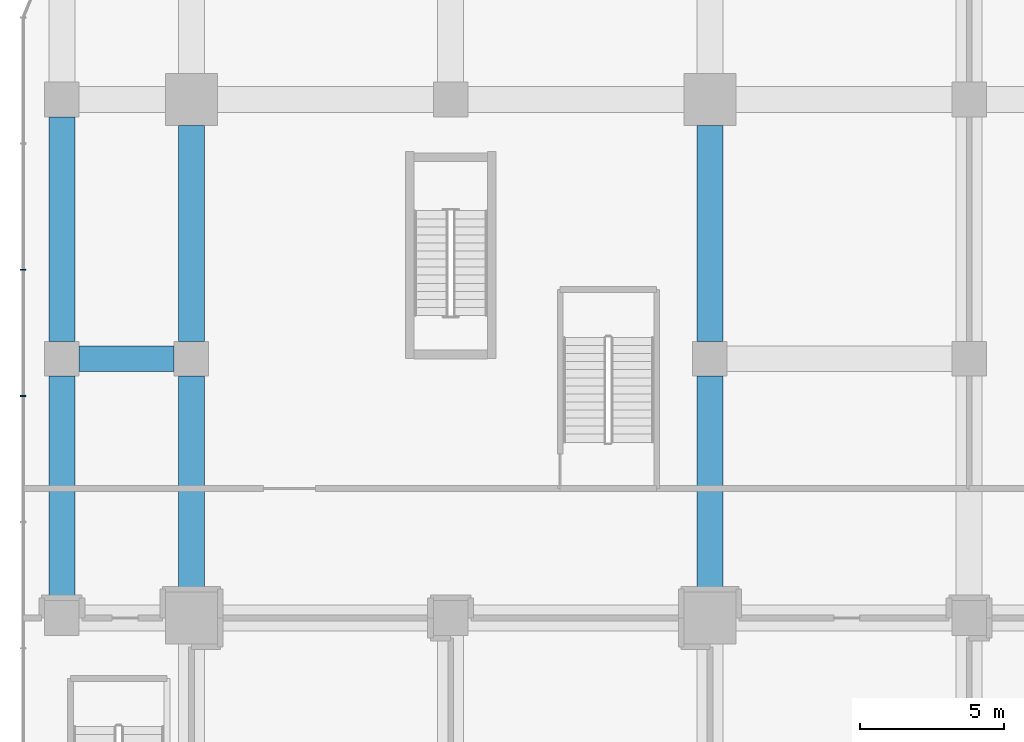
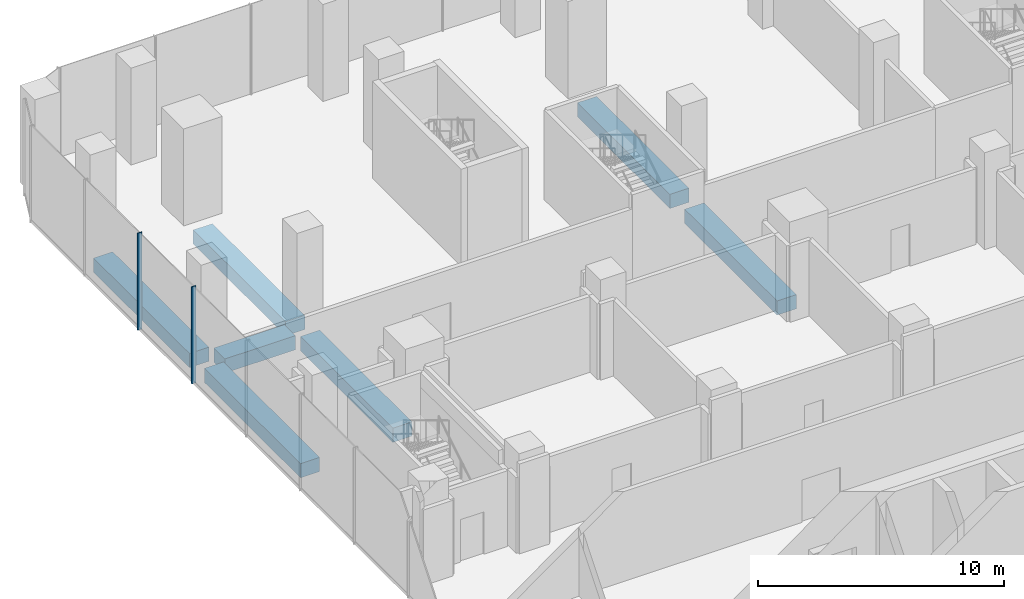
# One storey, part 11 of 42: 7 beams, 2 members, 1 element without a shape of its own.
"""IFC4 building model written with IfcOpenShell, lengths in metres."""

from ifc_helpers import new_model, si_unit, direction, frame, origin, origin_2d, place, context, subcontext, project, spatial, rectangle, extrude, material, layer, layer_set, material_profile, profile_set, type_object, element, aggregate, save


model = new_model("IFC4")

# Units and contexts
model_context = context("Model", 3, precision=1e-05, world=origin(), true_north=direction((0.0, 1.0)))
body_context = subcontext(model_context, "Body", "Model", "MODEL_VIEW")
ifc_project = project(units=[si_unit("LENGTHUNIT", "METRE"), si_unit("AREAUNIT", "SQUARE_METRE"), si_unit("VOLUMEUNIT", "CUBIC_METRE"), si_unit("PLANEANGLEUNIT", "RADIAN"), si_unit("MASSUNIT", "GRAM", prefix="KILO")], contexts=[model_context])

# Site, building, storey
site_placement = place(None, origin())
site = spatial("IfcSite", under=ifc_project, at=site_placement, CompositionType="ELEMENT")
building_placement = place(site_placement, origin())
building = spatial("IfcBuilding", under=site, at=building_placement, Name="Plateau Cross Towers", CompositionType="ELEMENT")
storey_placement = place(building_placement, frame((0.0, 0.0, 8.0)))
storey = spatial("IfcBuildingStorey", under=building, at=storey_placement, Name="L01", CompositionType="ELEMENT", Elevation=8.0)

# Curtain wall, members
ifc_material_1 = material(Name="Dark low-iron laminated glass", Category="glass")
ifc_layer = layer(ifc_material_1, 0.300048828125)
ifc_layer_set = layer_set([ifc_layer], Name="Dark low-iron laminated glass")
curtain_wall_type = type_object("IfcCurtainWallType", Name="Curtain wall structural silicone CW-C", PredefinedType="NOTDEFINED", material=ifc_layer_set)
curtain_wall_placement = place(storey_placement, origin())
curtain_wall = element("IfcCurtainWall", 1, at=curtain_wall_placement, inside=storey, type_object=curtain_wall_type, Name="ENV/P/L01/P-58_568", PredefinedType="NOTDEFINED")
ifc_material_2 = material(Name="Black anodised aluminium", Category="aluminium")
ifc_material_profile_1 = material_profile(ifc_material_2, rectangle(XDim=0.050048828125, YDim=0.199951171875, at=origin_2d()), Name="MULLION 50x200")
ifc_profile_set_1 = profile_set([ifc_material_profile_1], Name="Black anodised aluminium")
member_type = type_object("IfcMemberType", Name="Mullion 50x200 structural silicone", PredefinedType="MULLION", material=ifc_profile_set_1)
member_1_placement = place(storey_placement, frame((-5.85009765625, 48.090087890625, -0.35009765625), z_axis=(0.0, 0.0, 1.0), x_axis=(0.0, -1.0, 0.0)))
member_1 = element("IfcMember", 2, at=member_1_placement, type_object=member_type, Name="CW-C mullion 3", PredefinedType="MULLION", context=body_context, shape_type="SweptSolid", body=[
    extrude(rectangle(XDim=0.050048828125, YDim=0.199951171875, at=origin_2d()), origin(), (0.0, 0.0, 1.0), 4.800048828125),
])
member_2_placement = place(storey_placement, frame((-5.85009765625, 43.7099609375, -0.35009765625), z_axis=(0.0, 0.0, 1.0), x_axis=(0.0, -1.0, 0.0)))
member_2 = element("IfcMember", 3, at=member_2_placement, type_object=member_type, Name="CW-C mullion 4", PredefinedType="MULLION", context=body_context, shape_type="SweptSolid", body=[
    extrude(rectangle(XDim=0.050048828125, YDim=0.199951171875, at=origin_2d()), origin(), (0.0, 0.0, 1.0), 4.800048828125),
])
aggregate(curtain_wall, [member_1, member_2])

# Beams
ifc_material_3 = material(Name="Concrete C50/60", Category="concrete")
ifc_material_profile_2 = material_profile(ifc_material_3, rectangle(XDim=0.89990234375, YDim=0.699951171875, at=origin_2d()), Name="RC 900x700")
ifc_profile_set_2 = profile_set([ifc_material_profile_2], Name="Concrete C50/60")
beam_type = type_object("IfcBeamType", Name="Podium band beam RC 900x700", PredefinedType="BEAM", material=ifc_profile_set_2)
beam_placement = place(storey_placement, frame((-3.89990234375, 45.0, -0.699951171875), z_axis=(1.0, 0.0, 0.0), x_axis=(0.0, 1.0, 0.0)))
element("IfcBeam", 4, at=beam_placement, inside=storey, type_object=beam_type, Name="PB58@L01", PredefinedType="BEAM", context=body_context, shape_type="SweptSolid", body=[
    extrude(rectangle(XDim=0.89990234375, YDim=0.699951171875, at=origin_2d()), origin(), (0.0, 0.0, 1.0), 3.2998046875),
])
for number, where, z_axis, x_axis, name in (
    (5, (-4.5, 36.60009765625, -0.699951171875), (0.0, 1.0, 0.0), (-1.0, 0.0, 0.0), "PB98@L01"),
    (6, (-4.5, 45.60009765625, -0.699951171875), (0.0, 1.0, 0.0), (-1.0, 0.0, 0.0), "PB99@L01"),
):
    element("IfcBeam", number, at=place(storey_placement, frame(where, z_axis=z_axis, x_axis=x_axis)), inside=storey, type_object=beam_type, Name=name, PredefinedType="BEAM", context=body_context, shape_type="SweptSolid", body=[
        extrude(rectangle(XDim=0.89990234375, YDim=0.699951171875, at=origin_2d()), origin(), (0.0, 0.0, 1.0), 7.7998046875),
    ])
for number, where, z_axis, x_axis, name in (
    (7, (0.0, 36.89990234375, -0.699951171875), (0.0, 1.0, 0.0), (-1.0, 0.0, 0.0), "PB103@L01"),
    (8, (0.0, 45.60009765625, -0.699951171875), (0.0, 1.0, 0.0), (-1.0, 0.0, 0.0), "PB104@L01"),
    (9, (18.0, 36.89990234375, -0.699951171875), (0.0, 1.0, 0.0), (-1.0, 0.0, 0.0), "PB111@L01"),
    (10, (18.0, 45.60009765625, -0.699951171875), (0.0, 1.0, 0.0), (-1.0, 0.0, 0.0), "PB112@L01"),
):
    element("IfcBeam", number, at=place(storey_placement, frame(where, z_axis=z_axis, x_axis=x_axis)), inside=storey, type_object=beam_type, Name=name, PredefinedType="BEAM", context=body_context, shape_type="SweptSolid", body=[
        extrude(rectangle(XDim=0.89990234375, YDim=0.699951171875, at=origin_2d()), origin(), (0.0, 0.0, 1.0), 7.5),
    ])

save(model, "model.ifc")
